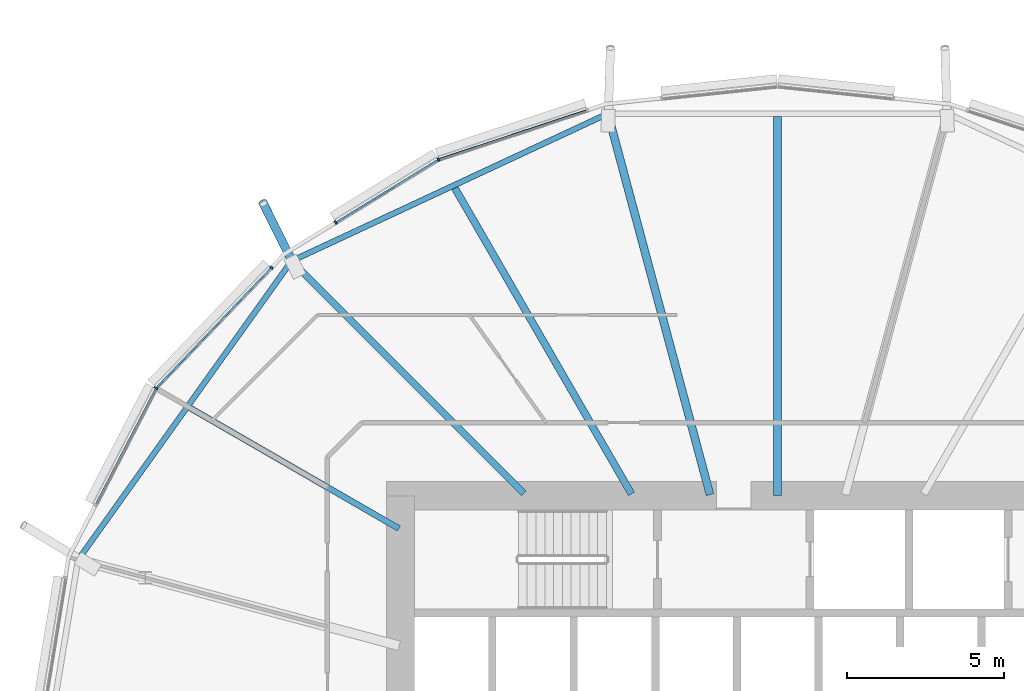
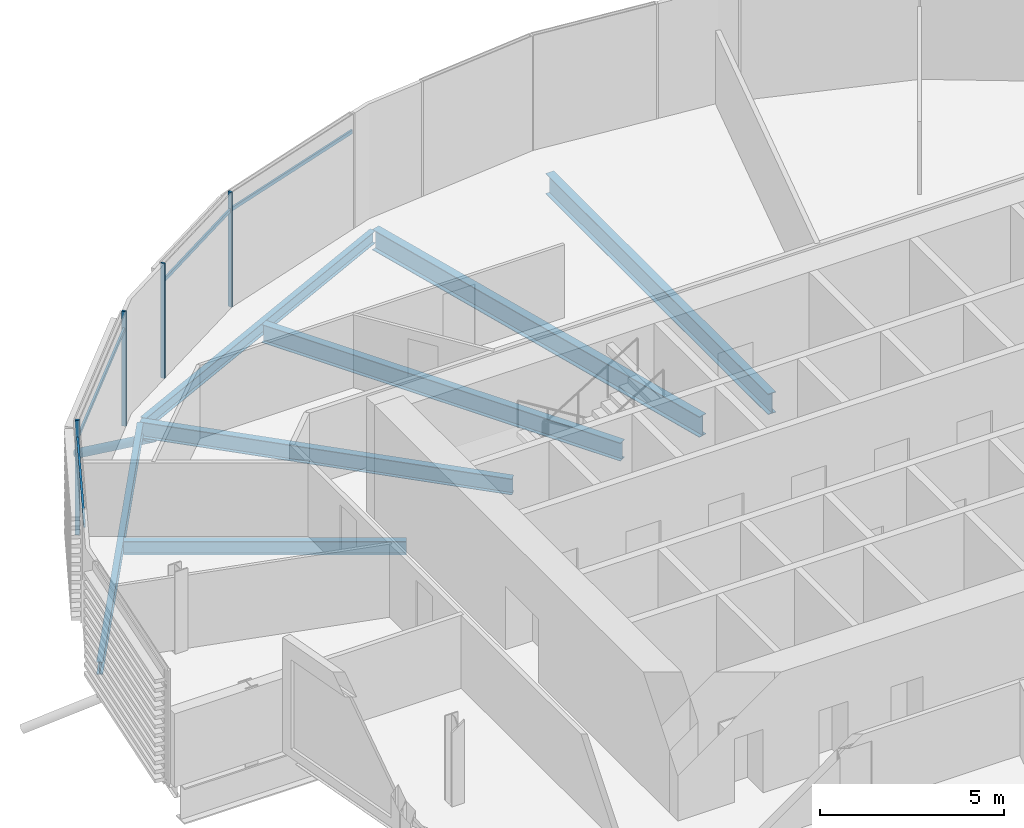
# One storey, part 8 of 38: 9 members, 7 beams, 1 element without a shape of its own.
"""IFC4 building model written with IfcOpenShell, lengths in metres."""

from ifc_helpers import new_model, si_unit, direction, frame, origin, origin_2d, place, context, subcontext, project, spatial, rectangle, hollow_circle, i_section, extrude, clip, halfspace, material, material_profile, profile_set, type_object, element, aggregate, save


model = new_model("IFC4")

# Units and contexts
model_context = context("Model", 3, precision=1e-05, world=origin(), true_north=direction((0.0, 1.0)))
body_context = subcontext(model_context, "Body", "Model", "MODEL_VIEW")
ifc_project = project(units=[si_unit("LENGTHUNIT", "METRE"), si_unit("AREAUNIT", "SQUARE_METRE"), si_unit("VOLUMEUNIT", "CUBIC_METRE"), si_unit("PLANEANGLEUNIT", "RADIAN"), si_unit("MASSUNIT", "GRAM", prefix="KILO")], contexts=[model_context])

# Site, building, storey
site_placement = place(None, origin())
site = spatial("IfcSite", under=ifc_project, at=site_placement, CompositionType="ELEMENT")
building_placement = place(site_placement, origin())
building = spatial("IfcBuilding", under=site, at=building_placement, Name="Rimbun Link Towers", CompositionType="ELEMENT")
storey_placement = place(building_placement, frame((0.0, 0.0, 68.0)))
storey = spatial("IfcBuildingStorey", under=building, at=storey_placement, Name="L16", CompositionType="ELEMENT", Elevation=68.0)

# Curtain wall, members
ifc_material_1 = material(Name="Aluminium 6063-T6 and low-iron glass", Category="aluminium")
curtain_wall_type = type_object("IfcCurtainWallType", Name="CW1 unitised vision wall", PredefinedType="NOTDEFINED", material=ifc_material_1)
curtain_wall_placement = place(storey_placement, origin())
curtain_wall = element("IfcCurtainWall", 1, at=curtain_wall_placement, inside=storey, type_object=curtain_wall_type, Name="CW1 L16 T1", PredefinedType="NOTDEFINED")
ifc_material_2 = material(Name="Aluminium 6063-T6", Category="aluminium")
ifc_material_profile_1 = material_profile(ifc_material_2, rectangle(XDim=0.1201171875, YDim=0.06005859375, at=origin_2d()), Name="MULLION 60X120")
ifc_profile_set_1 = profile_set([ifc_material_profile_1], Name="Aluminium 6063-T6")
member_type_1 = type_object("IfcMemberType", Name="CW1 mullion 60X120", PredefinedType="MULLION", material=ifc_profile_set_1)
member_1_placement = place(storey_placement, frame((-42.540283203125, 18.699951171875, 0.0), z_axis=(0.0, 0.0, 1.0), x_axis=(-0.421698890318, 0.906735929532, 0.0)))
member_1 = element("IfcMember", 2, at=member_1_placement, type_object=member_type_1, Name="CW1 mullion", PredefinedType="MULLION", context=body_context, shape_type="SweptSolid", body=[
    extrude(rectangle(XDim=0.1201171875, YDim=0.06005859375, at=origin_2d()), origin(), (0.0, 0.0, 1.0), 3.800048828125),
])
member_2_placement = place(storey_placement, frame((-45.809814453125, 16.69287109375, 0.0), z_axis=(0.0, 0.0, 1.0), x_axis=(-0.523239240316, 0.852185835011, 0.0)))
member_2 = element("IfcMember", 3, at=member_2_placement, type_object=member_type_1, Name="CW1 mullion", PredefinedType="MULLION", context=body_context, shape_type="SweptSolid", body=[
    extrude(rectangle(XDim=0.1201171875, YDim=0.06005859375, at=origin_2d()), origin(), (0.0, 0.0, 1.0), 3.800048828125),
])
member_3_placement = place(storey_placement, frame((-51.527587890625, 11.42529296875, 0.0), z_axis=(0.0, 0.0, 1.0), x_axis=(-0.813351214919, 0.581772980801, 0.0)))
member_3 = element("IfcMember", 4, at=member_3_placement, type_object=member_type_1, Name="CW1 mullion", PredefinedType="MULLION", context=body_context, shape_type="SweptSolid", body=[
    extrude(rectangle(XDim=0.1201171875, YDim=0.06005859375, at=origin_2d()), origin(), (0.0, 0.0, 1.0), 3.800048828125),
])
member_4_placement = place(storey_placement, frame((-47.856201171875, 15.256103515625, 0.0), z_axis=(0.0, 0.0, 1.0), x_axis=(-0.721854427226, 0.692044930546, 0.0)))
member_4 = element("IfcMember", 5, at=member_4_placement, type_object=member_type_1, Name="CW1 mullion", PredefinedType="MULLION", context=body_context, shape_type="SweptSolid", body=[
    extrude(rectangle(XDim=0.1201171875, YDim=0.06005859375, at=origin_2d()), origin(), (0.0, 0.0, 1.0), 3.800048828125),
])
ifc_material_3 = material(Name="Aluminium 6063-T6", Category="aluminium")
ifc_material_profile_2 = material_profile(ifc_material_3, rectangle(XDim=0.06005859375, YDim=0.1201171875, at=origin_2d()), Name="TRANSOM 60X120")
ifc_profile_set_2 = profile_set([ifc_material_profile_2], Name="Aluminium 6063-T6")
member_type_2 = type_object("IfcMemberType", Name="CW1 transom 60X120", PredefinedType="USERDEFINED", material=ifc_profile_set_2)
member_5_placement = place(storey_placement, frame((-42.5048828125, 18.7099609375, 3.199951171875), z_axis=(0.949232441731, 0.314575541906, 0.0), x_axis=(-0.314575541906, 0.949232441731, 0.0)))
member_5 = element("IfcMember", 6, at=member_5_placement, type_object=member_type_2, Name="CW1 transom", ObjectType="TRANSOM", PredefinedType="USERDEFINED", context=body_context, shape_type="SweptSolid", body=[
    extrude(rectangle(XDim=0.06005859375, YDim=0.1201171875, at=origin_2d()), origin(), (0.0, 0.0, 1.0), 4.921875),
])
member_6_placement = place(storey_placement, frame((-45.783203125, 16.706787109375, 3.199951171875), z_axis=(0.852184905229, 0.523240754624, 0.0), x_axis=(-0.523240754624, 0.852184905229, 0.0)))
member_6 = element("IfcMember", 7, at=member_6_placement, type_object=member_type_2, Name="CW1 transom", ObjectType="TRANSOM", PredefinedType="USERDEFINED", context=body_context, shape_type="SweptSolid", body=[
    extrude(rectangle(XDim=0.06005859375, YDim=0.1201171875, at=origin_2d()), origin(), (0.0, 0.0, 1.0), 3.76953125),
])
member_7_placement = place(storey_placement, frame((-51.5, 11.452392578125, 3.199951171875), z_axis=(0.692056205714, 0.721843617505, 0.0), x_axis=(-0.721843617505, 0.692056205714, 0.0)))
member_7 = element("IfcMember", 8, at=member_7_placement, type_object=member_type_2, Name="CW1 transom", ObjectType="TRANSOM", PredefinedType="USERDEFINED", context=body_context, shape_type="SweptSolid", body=[
    extrude(rectangle(XDim=0.06005859375, YDim=0.1201171875, at=origin_2d()), origin(), (0.0, 0.0, 1.0), 5.2373046875),
])
member_8_placement = place(storey_placement, frame((-53.4404296875, 7.72607421875, 3.199951171875), z_axis=(0.459572613306, 0.888140199011, 0.0), x_axis=(-0.888140199011, 0.459572613306, 0.0)))
member_8 = element("IfcMember", 9, at=member_8_placement, type_object=member_type_2, Name="CW1 transom", ObjectType="TRANSOM", PredefinedType="USERDEFINED", context=body_context, shape_type="SweptSolid", body=[
    extrude(rectangle(XDim=0.06005859375, YDim=0.1201171875, at=origin_2d()), origin(), (0.0, 0.0, 1.0), 4.1259765625),
])
aggregate(curtain_wall, [member_1, member_2, member_3, member_4, member_5, member_6, member_7, member_8])

# Member
ifc_material_4 = material(Name="Steel S355J2H", Category="steel")
ifc_material_profile_3 = material_profile(ifc_material_4, hollow_circle(Radius=0.136474609375, WallThickness=0.012451171875, at=origin_2d()), Name="CHS 273x12.5")
ifc_profile_set_3 = profile_set([ifc_material_profile_3], Name="Steel S355J2H")
member_type_3 = type_object("IfcMemberType", Name="Floor edge link CHS 273x12.5", PredefinedType="BRACE", material=ifc_profile_set_3)
member_9_placement = place(storey_placement, frame((-47.180419921875, 15.430419921875, -0.809814453125), z_axis=(-0.382890697055, 0.76744869479, -0.514215144637), x_axis=(-0.894815654671, -0.44643582311, 0.0)))
element("IfcMember", 10, at=member_9_placement, inside=storey, type_object=member_type_3, Name="Floor edge link T1 L16 09", PredefinedType="BRACE", context=body_context, shape_type="Clipping", body=[
    clip(extrude(hollow_circle(Radius=0.136474609375, WallThickness=0.012451171875, at=origin_2d()), frame((0.0, 0.0, -0.474609375)), (0.0, 0.0, 1.0), 2.9638671875), halfspace(frame((0.0, 0.0, -0.22314453125), z_axis=(0.0, 0.857661229756, -0.514215144637)), False)),
])

# Beams
ifc_material_5 = material(Name="Steel S355J2", Category="steel")
ifc_material_profile_4 = material_profile(ifc_material_5, i_section(OverallWidth=0.177978515625, OverallDepth=0.406494140625, WebThickness=0.0078125, FlangeThickness=0.0126953125, at=origin_2d()), Name="UB 406x178x60")
ifc_profile_set_4 = profile_set([ifc_material_profile_4], Name="Steel S355J2")
beam_type_1 = type_object("IfcBeamType", Name="UB 406x178x60", PredefinedType="BEAM", material=ifc_profile_set_4)
beam_1_placement = place(storey_placement, frame((-37.268798828125, 20.10205078125, -0.36328125), z_axis=(-0.906379422837, -0.422464604266, 0.0), x_axis=(0.422464604266, -0.906379422837, 0.0)))
element("IfcBeam", 11, at=beam_1_placement, inside=storey, type_object=beam_type_1, Name="Edge beam T1 L16 07-09", PredefinedType="BEAM", context=body_context, shape_type="SweptSolid", body=[
    extrude(i_section(OverallWidth=0.177978515625, OverallDepth=0.406494140625, WebThickness=0.0078125, FlangeThickness=0.0126953125, at=origin_2d()), origin(), (0.0, 0.0, 1.0), 10.862060546875),
])
beam_2_placement = place(storey_placement, frame((-47.278076171875, 15.378662109375, -0.36328125), z_axis=(-0.581369775977, -0.813639467811, 0.0), x_axis=(0.813639467811, -0.581369775977, 0.0)))
element("IfcBeam", 12, at=beam_2_placement, inside=storey, type_object=beam_type_1, Name="Edge beam T1 L16 09-11", PredefinedType="BEAM", context=body_context, shape_type="SweptSolid", body=[
    extrude(i_section(OverallWidth=0.177978515625, OverallDepth=0.406494140625, WebThickness=0.0078125, FlangeThickness=0.0126953125, at=origin_2d()), origin(), (0.0, 0.0, 1.0), 11.40771484375),
])
ifc_material_6 = material(Name="Steel S355J2", Category="steel")
ifc_material_profile_5 = material_profile(ifc_material_6, i_section(OverallWidth=0.18994140625, OverallDepth=0.453369140625, WebThickness=0.008544921875, FlangeThickness=0.0126953125, at=origin_2d()), Name="UB 457x191x67")
ifc_profile_set_5 = profile_set([ifc_material_profile_5], Name="Steel S355J2")
beam_type_2 = type_object("IfcBeamType", Name="UB 457x191x67", PredefinedType="BEAM", material=ifc_profile_set_5)
beam_3_placement = place(storey_placement, frame((-43.79833984375, 6.9560546875, -0.38671875), z_axis=(-0.866012339475, 0.500022627366, 0.0), x_axis=(-0.500022627366, -0.866012339475, 0.0)))
element("IfcBeam", 13, at=beam_3_placement, inside=storey, type_object=beam_type_2, Name="Radial beam T1 L16 10", PredefinedType="BEAM", context=body_context, shape_type="SweptSolid", body=[
    extrude(i_section(OverallWidth=0.18994140625, OverallDepth=0.453369140625, WebThickness=0.008544921875, FlangeThickness=0.0126953125, at=origin_2d()), origin(), (0.0, 0.0, 1.0), 7.674072265625),
])
ifc_material_7 = material(Name="Steel S355J2", Category="steel")
ifc_material_profile_6 = material_profile(ifc_material_7, i_section(OverallWidth=0.209228515625, OverallDepth=0.533203125, WebThickness=0.010009765625, FlangeThickness=0.015625, at=origin_2d()), Name="UB 533x210x92")
ifc_profile_set_6 = profile_set([ifc_material_profile_6], Name="Steel S355J2")
beam_type_3 = type_object("IfcBeamType", Name="UB 533x210x92", PredefinedType="BEAM", material=ifc_profile_set_6)
beam_4_placement = place(storey_placement, frame((-39.82470703125, 8.07470703125, -0.426513671875), z_axis=(-0.707106781187, 0.707106781187, 0.0), x_axis=(-0.707106781187, -0.707106781187, 0.0)))
element("IfcBeam", 14, at=beam_4_placement, inside=storey, type_object=beam_type_3, Name="Radial beam T1 L16 09", PredefinedType="BEAM", context=body_context, shape_type="SweptSolid", body=[
    extrude(i_section(OverallWidth=0.209228515625, OverallDepth=0.533203125, WebThickness=0.010009765625, FlangeThickness=0.015625, at=origin_2d()), origin(), (0.0, 0.0, 1.0), 10.45263671875),
])
ifc_material_8 = material(Name="Steel S355J2", Category="steel")
ifc_material_profile_7 = material_profile(ifc_material_8, i_section(OverallWidth=0.2275390625, OverallDepth=0.6025390625, WebThickness=0.010498046875, FlangeThickness=0.014892578125, at=origin_2d()), Name="UB 610x229x101")
ifc_profile_set_7 = profile_set([ifc_material_profile_7], Name="Steel S355J2")
beam_type_4 = type_object("IfcBeamType", Name="UB 610x229x101", PredefinedType="BEAM", material=ifc_profile_set_7)
beam_5_placement = place(storey_placement, frame((-36.402099609375, 8.057861328125, -0.461181640625), z_axis=(-0.50001148964, 0.866018770136, 0.0), x_axis=(-0.866018770136, -0.50001148964, 0.0)))
element("IfcBeam", 15, at=beam_5_placement, inside=storey, type_object=beam_type_4, Name="Radial beam T1 L16 08", PredefinedType="BEAM", context=body_context, shape_type="SweptSolid", body=[
    extrude(i_section(OverallWidth=0.2275390625, OverallDepth=0.6025390625, WebThickness=0.010498046875, FlangeThickness=0.014892578125, at=origin_2d()), origin(), (0.0, 0.0, 1.0), 11.235595703125),
])
ifc_material_9 = material(Name="Steel S355J2", Category="steel")
ifc_material_profile_8 = material_profile(ifc_material_9, i_section(OverallWidth=0.253662109375, OverallDepth=0.68359375, WebThickness=0.012451171875, FlangeThickness=0.01904296875, at=origin_2d()), Name="UB 686x254x140")
ifc_profile_set_8 = profile_set([ifc_material_profile_8], Name="Steel S355J2")
beam_type_5 = type_object("IfcBeamType", Name="UB 686x254x140", PredefinedType="BEAM", material=ifc_profile_set_8)
beam_6_placement = place(storey_placement, frame((-31.75, 8.0009765625, -0.501708984375), z_axis=(0.0, 1.0, 0.0), x_axis=(-1.0, 0.0, 0.0)))
element("IfcBeam", 16, at=beam_6_placement, inside=storey, type_object=beam_type_5, Name="Radial beam T1 L16 06", PredefinedType="BEAM", context=body_context, shape_type="SweptSolid", body=[
    extrude(i_section(OverallWidth=0.253662109375, OverallDepth=0.68359375, WebThickness=0.012451171875, FlangeThickness=0.01904296875, at=origin_2d()), origin(), (0.0, 0.0, 1.0), 12.06591796875),
])
beam_7_placement = place(storey_placement, frame((-33.902587890625, 8.03369140625, -0.501708984375), z_axis=(-0.258813870741, 0.96592721274, 0.0), x_axis=(-0.96592721274, -0.258813870741, 0.0)))
element("IfcBeam", 17, at=beam_7_placement, inside=storey, type_object=beam_type_5, Name="Radial beam T1 L16 07", PredefinedType="BEAM", context=body_context, shape_type="SweptSolid", body=[
    extrude(i_section(OverallWidth=0.253662109375, OverallDepth=0.68359375, WebThickness=0.012451171875, FlangeThickness=0.01904296875, at=origin_2d()), origin(), (0.0, 0.0, 1.0), 12.55078125),
])

save(model, "model.ifc")
